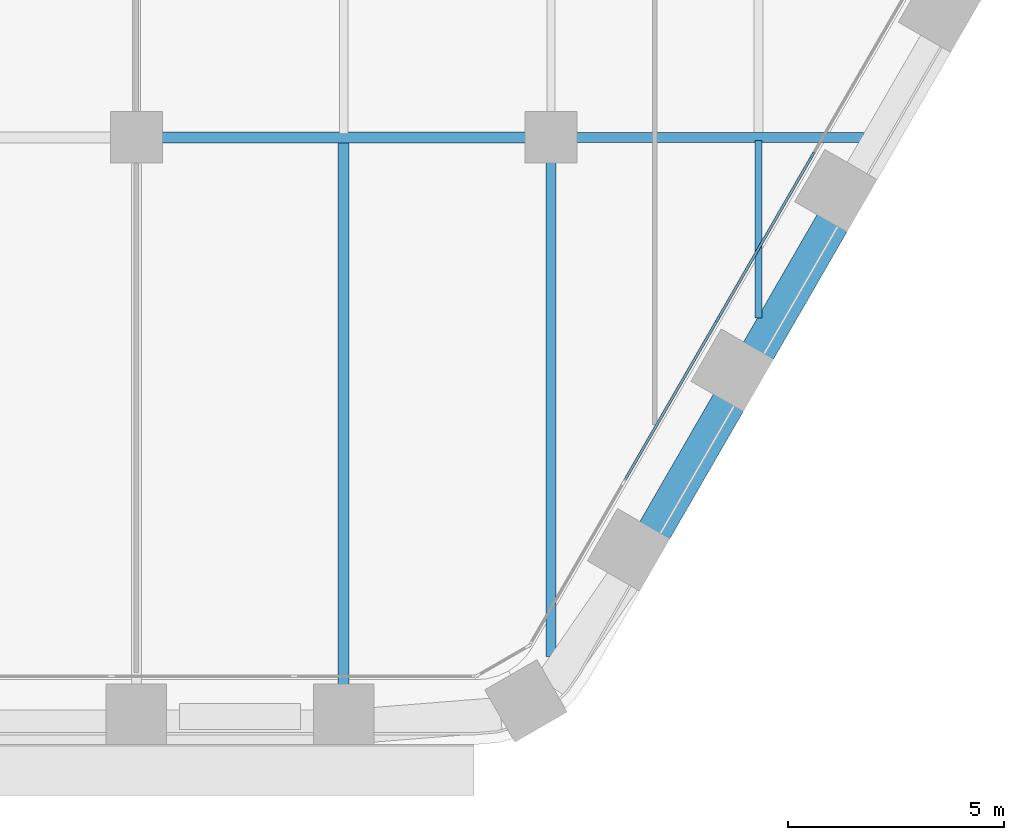
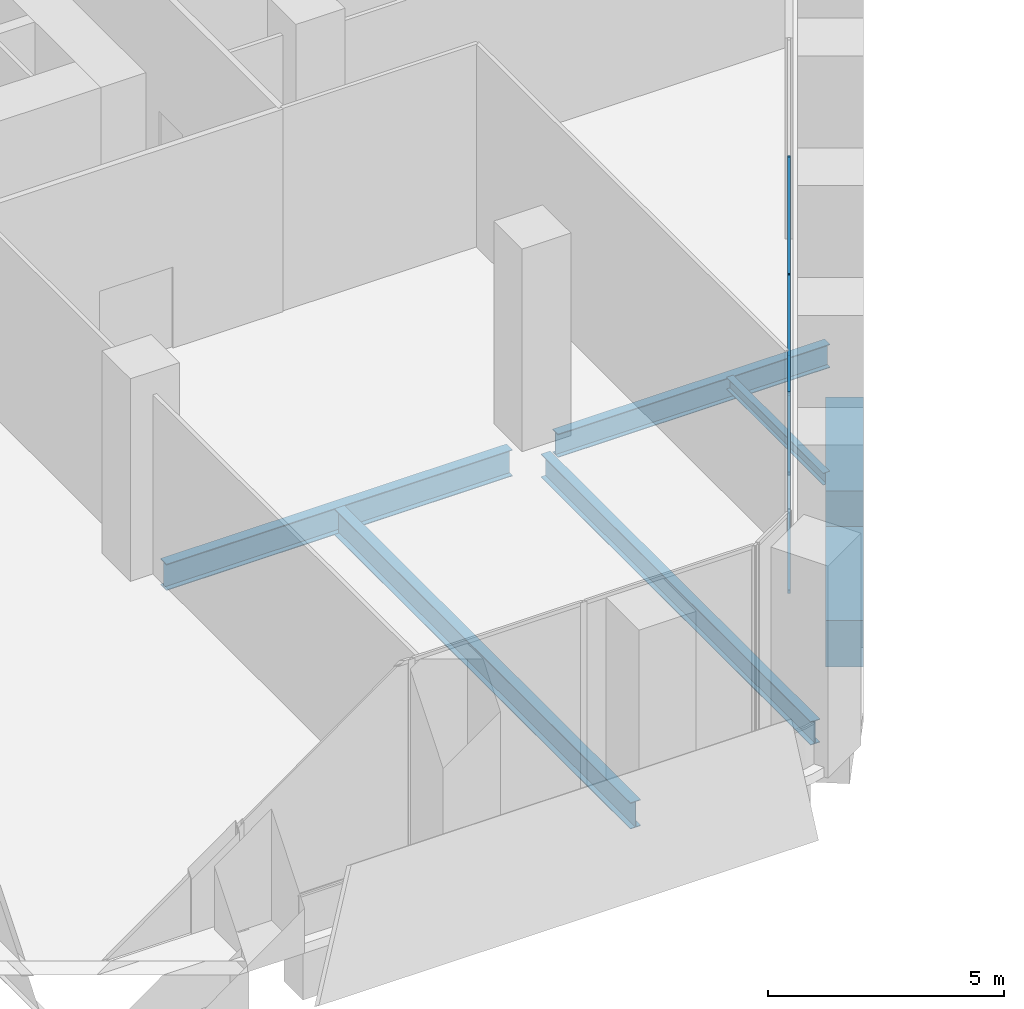
# One storey, part 5 of 29: 7 beams, 6 members, 1 element without a shape of its own.
"""IFC4 building model written with IfcOpenShell, lengths in metres."""

import ifcopenshell
import ifcopenshell.guid

model = None  # the IFC model being written
_history = None  # IfcOwnerHistory: only IFC2X3 demands one
_inside = {}  # id of a spatial element -> (the spatial element, [elements in it])
_under = {}  # id of a project, library or spatial element -> (it, [spatial elements below it])
_declared = {}  # id of a project -> (the project, [libraries it declares])
_typed = {}  # id of a type object -> (the type object, [elements of that type])
_made_of = {}  # id of a material, layer set ... -> (it, [elements and type objects made of it])


def new_model(schema):
    """Start an empty IFC model of exactly this schema.

    Asked for "IFC4X3", IfcOpenShell would pick the latest addendum, in which some entities
    have other attributes; the version numbers below select the first issue.
    IFC2X3 requires an IfcOwnerHistory on every rooted entity: one is made here for all.
    """
    global model, _history
    if schema == "IFC4X3":
        model = ifcopenshell.file(schema_version=(4, 3, 0, 0))
    else:
        model = ifcopenshell.file(schema=schema)
    _inside.clear()
    _under.clear()
    _declared.clear()
    _typed.clear()
    _made_of.clear()
    _history = None
    if model.schema == "IFC2X3":
        org = make("IfcOrganization", Name="unknown")
        user = make(
            "IfcPersonAndOrganization",
            ThePerson=make("IfcPerson", FamilyName="unknown"),
            TheOrganization=org,
        )
        app = make(
            "IfcApplication",
            ApplicationDeveloper=org,
            Version="unknown",
            ApplicationFullName="unknown",
            ApplicationIdentifier="unknown",
        )
        _history = make(
            "IfcOwnerHistory",
            OwningUser=user,
            OwningApplication=app,
            ChangeAction="ADDED",
            CreationDate=0,
        )
    return model


def make(cls, **values):
    """One entity of the class cls with the attributes given. An attribute that is None is left unset."""
    return model.create_entity(
        cls, **{name: value for name, value in values.items() if value is not None}
    )


def rooted(cls, **values):
    """An entity with a GlobalId (a new one), such as an element, a storey or a relation."""
    return make(cls, GlobalId=ifcopenshell.guid.new(), OwnerHistory=_history, **values)


def si_unit(unit_type, name, prefix=None):
    """IfcSIUnit, for example si_unit("LENGTHUNIT", "METRE", prefix="MILLI")."""
    return make("IfcSIUnit", UnitType=unit_type, Prefix=prefix, Name=name)


def assignment(units):
    """IfcUnitAssignment: the units of a project."""
    return None if units is None else make("IfcUnitAssignment", Units=units)


def point(xyz):
    """IfcCartesianPoint."""
    return None if xyz is None else make("IfcCartesianPoint", Coordinates=xyz)


def direction(xyz):
    """IfcDirection."""
    return None if xyz is None else make("IfcDirection", DirectionRatios=xyz)


def frame(location, z_axis=None, x_axis=None):
    """IfcAxis2Placement3D, a coordinate frame: its origin and axes. An axis left out is left unset."""
    return make(
        "IfcAxis2Placement3D",
        Location=point(location),
        Axis=direction(z_axis),
        RefDirection=direction(x_axis),
    )


def frame_2d(location, x_axis=None):
    """IfcAxis2Placement2D, a coordinate frame in the plane: its origin and x axis."""
    return make(
        "IfcAxis2Placement2D", Location=point(location), RefDirection=direction(x_axis)
    )


def origin():
    """The frame at (0, 0, 0) with its axes left unset."""
    return frame((0.0, 0.0, 0.0))


def origin_2d():
    """The frame at (0, 0) in the plane with its x axis left unset."""
    return frame_2d((0.0, 0.0))


def place(relative_to, where):
    """IfcLocalPlacement: puts the frame where relative to a parent placement (None: the world)."""
    return make(
        "IfcLocalPlacement", PlacementRelTo=relative_to, RelativePlacement=where
    )


def context(
    kind, dimensions, precision=None, world=None, true_north=None, identifier=None
):
    """IfcGeometricRepresentationContext, for example the 3D "Model" context."""
    return make(
        "IfcGeometricRepresentationContext",
        ContextIdentifier=identifier,
        ContextType=kind,
        CoordinateSpaceDimension=dimensions,
        Precision=precision,
        WorldCoordinateSystem=world,
        TrueNorth=true_north,
    )


def subcontext(parent, identifier, kind, view, scale=None):
    """IfcGeometricRepresentationSubContext, for example "Body" below "Model"."""
    return make(
        "IfcGeometricRepresentationSubContext",
        ContextIdentifier=identifier,
        ContextType=kind,
        ParentContext=parent,
        TargetScale=scale,
        TargetView=view,
    )


def project(units=None, contexts=None):
    """IfcProject with its units and contexts."""
    return rooted(
        "IfcProject",
        Name="project",
        RepresentationContexts=contexts,
        UnitsInContext=assignment(units),
    )


def spatial(cls, under=None, at=None, **own):
    """A site, building, storey or space (cls), placed at a placement, below another one or the project."""
    s = rooted(cls, ObjectPlacement=at, **own)
    if under is not None:
        _under.setdefault(under.id(), (under, []))[1].append(s)
    return s


def profile(cls, at=None, kind="AREA", **sizes):
    """A parametric profile (cls). Its sizes go by their IFC names, for example OverallWidth=200.0."""
    return make(cls, ProfileType=kind, Position=at, **sizes)


def rectangle(**sizes):
    """IfcRectangleProfileDef."""
    return profile("IfcRectangleProfileDef", **sizes)


def i_section(**sizes):
    """IfcIShapeProfileDef."""
    return profile("IfcIShapeProfileDef", **sizes)


def extrude(swept, where, along, depth):
    """IfcExtrudedAreaSolid: the profile swept, set in the frame where, extruded along a direction by depth."""
    return make(
        "IfcExtrudedAreaSolid",
        SweptArea=swept,
        Position=where,
        ExtrudedDirection=direction(along),
        Depth=depth,
    )


def shape(context_of_items, identifier, shape_type, items):
    """IfcShapeRepresentation: the items that make up one representation, for example the "Body"."""
    return make(
        "IfcShapeRepresentation",
        ContextOfItems=context_of_items,
        RepresentationIdentifier=identifier,
        RepresentationType=shape_type,
        Items=items,
    )


def material(Name=None, Category=None):
    """IfcMaterial."""
    return make("IfcMaterial", Name=Name, Category=Category)


def material_profile(
    of_material, cross_section, Name=None, Category=None, Priority=None
):
    """IfcMaterialProfile: a cross section and its material."""
    return make(
        "IfcMaterialProfile",
        Name=Name,
        Material=of_material,
        Profile=cross_section,
        Priority=Priority,
        Category=Category,
    )


def profile_set(profiles, Name=None, composite=None):
    """IfcMaterialProfileSet."""
    return make(
        "IfcMaterialProfileSet",
        Name=Name,
        MaterialProfiles=profiles,
        CompositeProfile=composite,
    )


def made_of(thing, what):
    """Note that an element or type object is made of a material, layer set ...; save() writes the relation."""
    if what is not None:
        _made_of.setdefault(what.id(), (what, []))[1].append(thing)
    return thing


def type_object(cls, material=None, **own):
    """A type object (cls), such as IfcWallType, which elements share."""
    return made_of(rooted(cls, **own), material)


def element(
    cls,
    number,
    at=None,
    inside=None,
    cuts=None,
    type_object=None,
    material=None,
    context=None,
    identifier="Body",
    shape_type=None,
    held_by="IfcProductDefinitionShape",
    body=None,
    shapes=None,
    **own,
):
    """One element of the class cls, such as IfcWall. Its Tag is "e" and its number.

    at: its placement. inside: the storey or other place that contains it. cuts: it is an
    opening in that element (IfcRelVoidsElement). A single representation is given by context,
    identifier, shape_type and body (its items); several are given by shapes. held_by: the class
    of the entity that holds the representations. save() writes the other relations.
    """
    e = rooted(cls, Tag="e%d" % number, ObjectPlacement=at, **own)
    if body is not None:
        shapes = [shape(context, identifier, shape_type, body)]
    if shapes is not None:
        e.Representation = make(held_by, Representations=shapes)
    if inside is not None:
        _inside.setdefault(inside.id(), (inside, []))[1].append(e)
    if cuts is not None:
        rooted(
            "IfcRelVoidsElement", RelatingBuildingElement=cuts, RelatedOpeningElement=e
        )
    if type_object is not None:
        _typed.setdefault(type_object.id(), (type_object, []))[1].append(e)
    return made_of(e, material)


def aggregate(whole, parts):
    """IfcRelAggregates: a whole, such as a stair, and the parts it consists of."""
    return rooted("IfcRelAggregates", RelatingObject=whole, RelatedObjects=parts)


def save(model, path):
    """Write the relations noted so far, then the file.

    IfcRelAggregates (storeys below a building ...), IfcRelContainedInSpatialStructure (elements
    in a storey), IfcRelDefinesByType, IfcRelAssociatesMaterial and IfcRelDeclares: one each for
    every whole, place, type object, material and project.
    """
    for whole, parts in _under.values():
        aggregate(whole, parts)
    for where, things in _inside.values():
        rooted(
            "IfcRelContainedInSpatialStructure",
            RelatedElements=things,
            RelatingStructure=where,
        )
    for kind, things in _typed.values():
        rooted("IfcRelDefinesByType", RelatedObjects=things, RelatingType=kind)
    for what, things in _made_of.values():
        rooted("IfcRelAssociatesMaterial", RelatedObjects=things, RelatingMaterial=what)
    for by, libraries in _declared.values():
        rooted("IfcRelDeclares", RelatingContext=by, RelatedDefinitions=libraries)
    model.write(path)


model = new_model("IFC4")

# Units and contexts
model_context = context("Model", 3, precision=1e-05, world=origin(), true_north=direction((0.0, 1.0)))
body_context = subcontext(model_context, "Body", "Model", "MODEL_VIEW")
ifc_project = project(units=[si_unit("LENGTHUNIT", "METRE"), si_unit("AREAUNIT", "SQUARE_METRE"), si_unit("VOLUMEUNIT", "CUBIC_METRE"), si_unit("PLANEANGLEUNIT", "RADIAN"), si_unit("MASSUNIT", "GRAM", prefix="KILO")], contexts=[model_context])

# Site, building, storey
site_placement = place(None, origin())
site = spatial("IfcSite", under=ifc_project, at=site_placement, CompositionType="ELEMENT")
building_placement = place(site_placement, origin())
building = spatial("IfcBuilding", under=site, at=building_placement, Name="Kolab Exchange Tower", CompositionType="ELEMENT")
storey_placement = place(building_placement, frame((0.0, 0.0, 33.39990234375)))
storey = spatial("IfcBuildingStorey", under=building, at=storey_placement, Name="L06", CompositionType="ELEMENT", Elevation=33.39990234375)

# Beams
ifc_material_1 = material(Name="Steel S355", Category="steel")
ifc_material_profile_1 = material_profile(ifc_material_1, i_section(OverallWidth=0.1650390625, OverallDepth=0.31005859375, WebThickness=0.005859375, FlangeThickness=0.009765625, at=origin_2d()), Name="W310X39")
ifc_profile_set_1 = profile_set([ifc_material_profile_1], Name="Steel S355")
beam_type_1 = type_object("IfcBeamType", Name="FLOOR BEAM W310X39", PredefinedType="BEAM", material=ifc_profile_set_1)
beam_1_placement = place(storey_placement, frame((24.0, -23.381591796875, -0.40478515625), z_axis=(0.0, 1.0, 0.0), x_axis=(-1.0, 0.0, 0.0)))
element("IfcBeam", 1, at=beam_1_placement, inside=storey, type_object=beam_type_1, Name="beam/L06/fr/052", PredefinedType="BEAM", context=body_context, shape_type="SweptSolid", body=[
    extrude(i_section(OverallWidth=0.1650390625, OverallDepth=0.31005859375, WebThickness=0.005859375, FlangeThickness=0.009765625, at=origin_2d()), origin(), (0.0, 0.0, 1.0), 4.107666015625),
])
ifc_material_profile_2 = material_profile(ifc_material_1, i_section(OverallWidth=0.22802734375, OverallDepth=0.60791015625, WebThickness=0.01123046875, FlangeThickness=0.017333984375, at=origin_2d()), Name="W610X113")
ifc_profile_set_2 = profile_set([ifc_material_profile_2], Name="Steel S355")
beam_type_2 = type_object("IfcBeamType", Name="FLOOR BEAM W610X113", PredefinedType="BEAM", material=ifc_profile_set_2)
beam_2_placement = place(storey_placement, frame((19.199951171875, -31.214599609375, -0.553955078125), z_axis=(0.0, 1.0, 0.0), x_axis=(-1.0, 0.0, 0.0)))
element("IfcBeam", 2, at=beam_2_placement, inside=storey, type_object=beam_type_2, Name="beam/L06/fr/046", PredefinedType="BEAM", context=body_context, shape_type="SweptSolid", body=[
    extrude(i_section(OverallWidth=0.22802734375, OverallDepth=0.60791015625, WebThickness=0.01123046875, FlangeThickness=0.017333984375, at=origin_2d()), origin(), (0.0, 0.0, 1.0), 11.45458984375),
])
ifc_material_profile_3 = material_profile(ifc_material_1, i_section(OverallWidth=0.25390625, OverallDepth=0.68408203125, WebThickness=0.012451171875, FlangeThickness=0.018798828125, at=origin_2d()), Name="W690X140")
ifc_profile_set_3 = profile_set([ifc_material_profile_3], Name="Steel S355")
beam_type_3 = type_object("IfcBeamType", Name="FLOOR BEAM W690X140", PredefinedType="BEAM", material=ifc_profile_set_3)
beam_3_placement = place(storey_placement, frame((14.39990234375, -31.8955078125, -0.591796875), z_axis=(0.0, 1.0, 0.0), x_axis=(-1.0, 0.0, 0.0)))
element("IfcBeam", 3, at=beam_3_placement, inside=storey, type_object=beam_type_3, Name="beam/L06/fr/042", PredefinedType="BEAM", context=body_context, shape_type="SweptSolid", body=[
    extrude(i_section(OverallWidth=0.25390625, OverallDepth=0.68408203125, WebThickness=0.012451171875, FlangeThickness=0.018798828125, at=origin_2d()), origin(), (0.0, 0.0, 1.0), 12.6083984375),
])
ifc_material_profile_4 = material_profile(ifc_material_1, i_section(OverallWidth=0.22802734375, OverallDepth=0.60791015625, WebThickness=0.01123046875, FlangeThickness=0.017333984375, at=origin_2d()), Name="W610X113")
ifc_profile_set_4 = profile_set([ifc_material_profile_4], Name="Steel S355")
beam_type_4 = type_object("IfcBeamType", Name="FLOOR GIRDER W610X113", PredefinedType="BEAM", material=ifc_profile_set_4)
beam_4_placement = place(storey_placement, frame((19.760009765625, -19.199951171875, -0.553955078125), z_axis=(1.0, 0.0, 0.0), x_axis=(0.0, 1.0, 0.0)))
element("IfcBeam", 4, at=beam_4_placement, inside=storey, type_object=beam_type_4, Name="beam/L06/gd/020", PredefinedType="BEAM", context=body_context, shape_type="SweptSolid", body=[
    extrude(i_section(OverallWidth=0.22802734375, OverallDepth=0.60791015625, WebThickness=0.01123046875, FlangeThickness=0.017333984375, at=origin_2d()), origin(), (0.0, 0.0, 1.0), 6.671142578125),
])
ifc_material_profile_5 = material_profile(ifc_material_1, i_section(OverallWidth=0.25390625, OverallDepth=0.68408203125, WebThickness=0.012451171875, FlangeThickness=0.018798828125, at=origin_2d()), Name="W690X140")
ifc_profile_set_5 = profile_set([ifc_material_profile_5], Name="Steel S355")
beam_type_5 = type_object("IfcBeamType", Name="FLOOR GIRDER W690X140", PredefinedType="BEAM", material=ifc_profile_set_5)
beam_5_placement = place(storey_placement, frame((10.159912109375, -19.199951171875, -0.591796875), z_axis=(1.0, 0.0, 0.0), x_axis=(0.0, 1.0, 0.0)))
element("IfcBeam", 5, at=beam_5_placement, inside=storey, type_object=beam_type_5, Name="beam/L06/gd/015", PredefinedType="BEAM", context=body_context, shape_type="SweptSolid", body=[
    extrude(i_section(OverallWidth=0.25390625, OverallDepth=0.68408203125, WebThickness=0.012451171875, FlangeThickness=0.018798828125, at=origin_2d()), origin(), (0.0, 0.0, 1.0), 8.47998046875),
])
ifc_material_2 = material(Name="Concrete C80/95", Category="concrete")
ifc_material_profile_6 = material_profile(ifc_material_2, rectangle(XDim=0.800048828125, YDim=1.199951171875, at=origin_2d()), Name="RC800X1200")
ifc_profile_set_6 = profile_set([ifc_material_profile_6], Name="Concrete C80/95")
beam_type_6 = type_object("IfcBeamType", Name="SPANDREL BEAM 800X1200 C80/95", PredefinedType="BEAM", material=ifc_profile_set_6)
beam_6_placement = place(storey_placement, frame((25.7236328125, -21.15625, -0.849853515625), z_axis=(-0.500009906705, -0.86601968407, 0.0), x_axis=(0.86601968407, -0.500009906705, 0.0)))
element("IfcBeam", 6, at=beam_6_placement, inside=storey, type_object=beam_type_6, Name="beam/L06/sp/F3-06", PredefinedType="BEAM", context=body_context, shape_type="SweptSolid", body=[
    extrude(rectangle(XDim=0.800048828125, YDim=1.199951171875, at=origin_2d()), origin(), (0.0, 0.0, 1.0), 3.47998046875),
])
beam_7_placement = place(storey_placement, frame((23.323486328125, -25.31298828125, -0.849853515625), z_axis=(-0.499979528911, -0.866037222451, 0.0), x_axis=(0.866037222451, -0.499979528911, 0.0)))
element("IfcBeam", 7, at=beam_7_placement, inside=storey, type_object=beam_type_6, Name="beam/L06/sp/F3-07", PredefinedType="BEAM", context=body_context, shape_type="SweptSolid", body=[
    extrude(rectangle(XDim=0.800048828125, YDim=1.199951171875, at=origin_2d()), origin(), (0.0, 0.0, 1.0), 3.480224609375),
])

# Curtain wall, members
ifc_material_3 = material(Name="Aluminium EN AW-6063 T6", Category="aluminium")
curtain_wall_type = type_object("IfcCurtainWallType", Name="UNITISED LOW ZONE CURTAIN WALL", PredefinedType="NOTDEFINED", material=ifc_material_3)
curtain_wall_placement = place(storey_placement, origin())
curtain_wall = element("IfcCurtainWall", 8, at=curtain_wall_placement, inside=storey, type_object=curtain_wall_type, Name="cw/L06/F3-2", PredefinedType="NOTDEFINED")
ifc_material_profile_7 = material_profile(ifc_material_3, rectangle(XDim=0.06005859375, YDim=0.159912109375, at=origin_2d()), Name="RECT 60X160")
ifc_profile_set_7 = profile_set([ifc_material_profile_7], Name="Aluminium EN AW-6063 T6")
member_type_1 = type_object("IfcMemberType", Name="UNITISED LOW ZONE MULLION 60 X 160", PredefinedType="MULLION", material=ifc_profile_set_7)
member_1_placement = place(storey_placement, frame((25.248291015625, -19.61962890625, 0.0), z_axis=(0.0, 0.0, 1.0), x_axis=(0.866025397318, -0.5000000112, 0.0)))
member_1 = element("IfcMember", 9, at=member_1_placement, type_object=member_type_1, Name="CW1 mullion 2", PredefinedType="MULLION", context=body_context, shape_type="SweptSolid", body=[
    extrude(rectangle(XDim=0.06005859375, YDim=0.159912109375, at=origin_2d()), origin(), (0.0, 0.0, 1.0), 5.2001953125),
])
member_2_placement = place(storey_placement, frame((23.064697265625, -23.401611328125, 0.0), z_axis=(0.0, 0.0, 1.0), x_axis=(0.866025397318, -0.5000000112, 0.0)))
member_2 = element("IfcMember", 10, at=member_2_placement, type_object=member_type_1, Name="CW1 mullion 3", PredefinedType="MULLION", context=body_context, shape_type="SweptSolid", body=[
    extrude(rectangle(XDim=0.06005859375, YDim=0.159912109375, at=origin_2d()), origin(), (0.0, 0.0, 1.0), 5.2001953125),
])
ifc_material_profile_8 = material_profile(ifc_material_3, rectangle(XDim=0.06005859375, YDim=0.10009765625, at=origin_2d()), Name="RECT 60X100")
ifc_profile_set_8 = profile_set([ifc_material_profile_8], Name="Aluminium EN AW-6063 T6")
member_type_2 = type_object("IfcMemberType", Name="UNITISED LOW ZONE TRANSOM 60 X 100", PredefinedType="USERDEFINED", material=ifc_profile_set_8)
member_3_placement = place(storey_placement, frame((25.233154296875, -19.6455078125, 0.030029296875), z_axis=(-0.500010313095, -0.866019449435, 0.0), x_axis=(0.866019449435, -0.500010313095, 0.0)))
member_3 = element("IfcMember", 11, at=member_3_placement, type_object=member_type_2, Name="CW1 transom 2.1", ObjectType="TRANSOM", PredefinedType="USERDEFINED", context=body_context, shape_type="SweptSolid", body=[
    extrude(rectangle(XDim=0.06005859375, YDim=0.10009765625, at=origin_2d()), origin(), (0.0, 0.0, 1.0), 4.30712890625),
])
member_4_placement = place(storey_placement, frame((25.233154296875, -19.6455078125, 5.170166015625), z_axis=(-0.500010313095, -0.866019449435, 0.0), x_axis=(0.866019449435, -0.500010313095, 0.0)))
member_4 = element("IfcMember", 12, at=member_4_placement, type_object=member_type_2, Name="CW1 transom 2.2", ObjectType="TRANSOM", PredefinedType="USERDEFINED", context=body_context, shape_type="SweptSolid", body=[
    extrude(rectangle(XDim=0.06005859375, YDim=0.10009765625, at=origin_2d()), origin(), (0.0, 0.0, 1.0), 4.30712890625),
])
member_5_placement = place(storey_placement, frame((23.0498046875, -23.427490234375, 0.030029296875), z_axis=(-0.500010313095, -0.866019449435, 0.0), x_axis=(0.866019449435, -0.500010313095, 0.0)))
member_5 = element("IfcMember", 13, at=member_5_placement, type_object=member_type_2, Name="CW1 transom 3.1", ObjectType="TRANSOM", PredefinedType="USERDEFINED", context=body_context, shape_type="SweptSolid", body=[
    extrude(rectangle(XDim=0.06005859375, YDim=0.10009765625, at=origin_2d()), origin(), (0.0, 0.0, 1.0), 4.30712890625),
])
member_6_placement = place(storey_placement, frame((23.0498046875, -23.427490234375, 5.170166015625), z_axis=(-0.500010313095, -0.866019449435, 0.0), x_axis=(0.866019449435, -0.500010313095, 0.0)))
member_6 = element("IfcMember", 14, at=member_6_placement, type_object=member_type_2, Name="CW1 transom 3.2", ObjectType="TRANSOM", PredefinedType="USERDEFINED", context=body_context, shape_type="SweptSolid", body=[
    extrude(rectangle(XDim=0.06005859375, YDim=0.10009765625, at=origin_2d()), origin(), (0.0, 0.0, 1.0), 4.30712890625),
])
aggregate(curtain_wall, [member_1, member_2, member_3, member_4, member_5, member_6])

save(model, "model.ifc")
